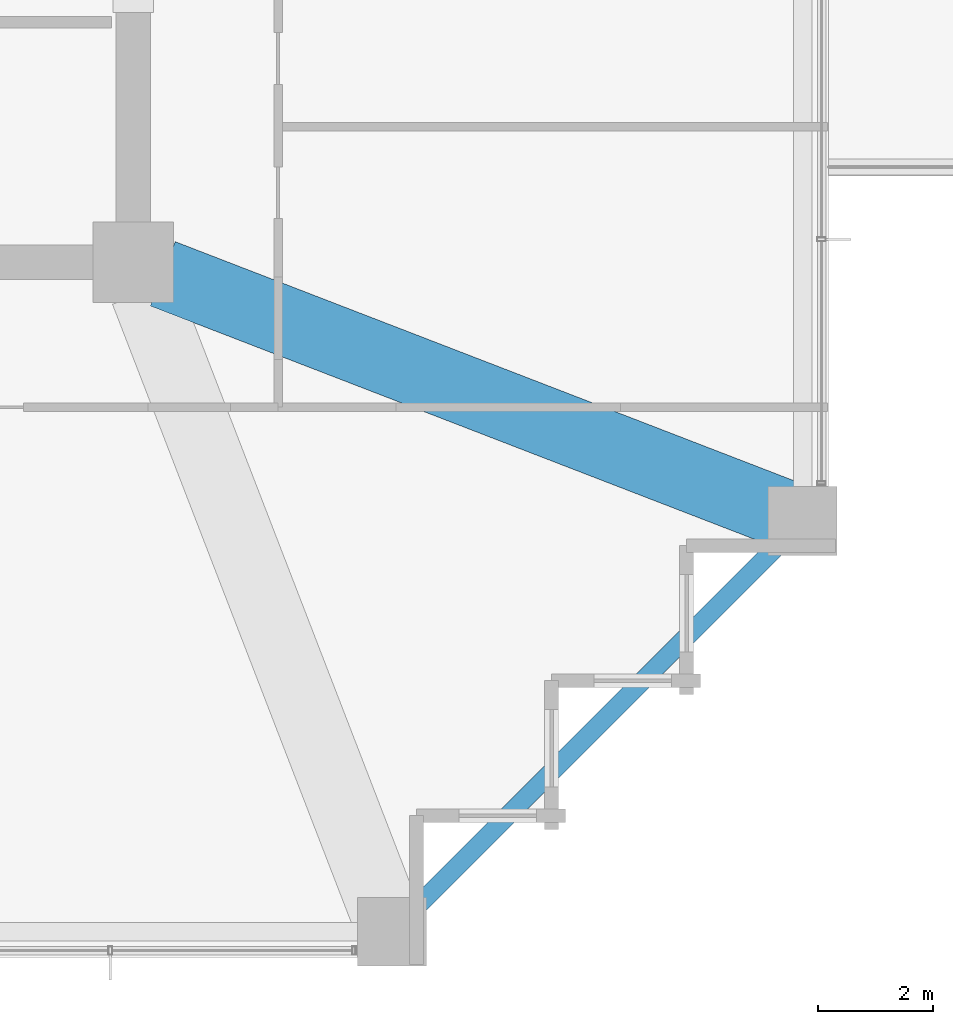
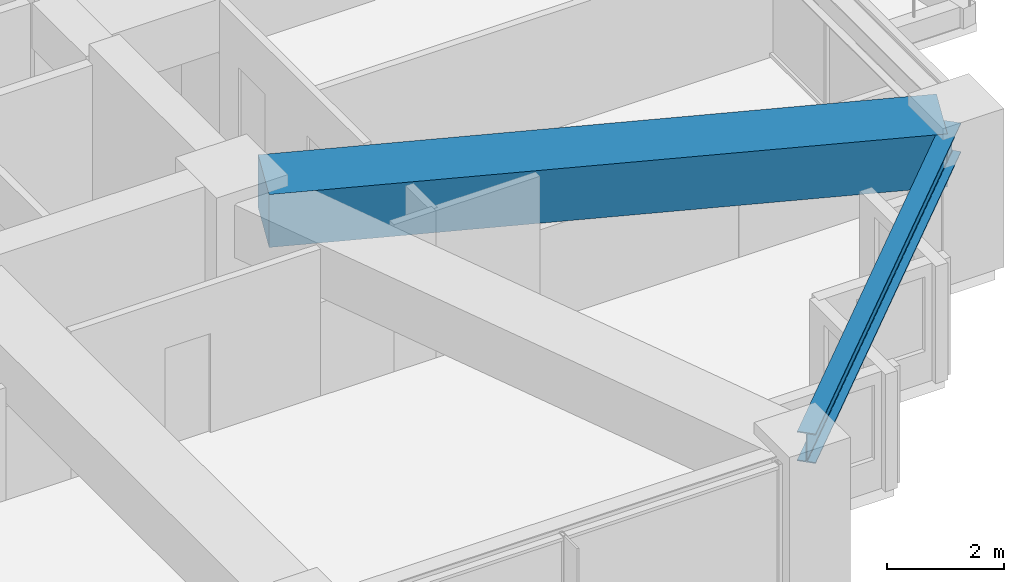
# One storey, part 12 of 39: 2 beams.
"""IFC4 building model written with IfcOpenShell, lengths in metres."""

from ifc_helpers import new_model, si_unit, direction, frame, origin, origin_2d, place, context, subcontext, project, spatial, rectangle, i_section, extrude, material, material_profile, profile_set, type_object, element, save


model = new_model("IFC4")

# Units and contexts
model_context = context("Model", 3, precision=1e-05, world=origin(), true_north=direction((0.0, 1.0)))
body_context = subcontext(model_context, "Body", "Model", "MODEL_VIEW")
ifc_project = project(units=[si_unit("LENGTHUNIT", "METRE"), si_unit("AREAUNIT", "SQUARE_METRE"), si_unit("VOLUMEUNIT", "CUBIC_METRE"), si_unit("PLANEANGLEUNIT", "RADIAN"), si_unit("MASSUNIT", "GRAM", prefix="KILO")], contexts=[model_context])

# Site, building, storey
site_placement = place(None, origin())
site = spatial("IfcSite", under=ifc_project, at=site_placement, CompositionType="ELEMENT")
building_placement = place(site_placement, origin())
building = spatial("IfcBuilding", under=site, at=building_placement, Name="Kolvaren Belvedere", CompositionType="ELEMENT")
storey_placement = place(building_placement, frame((0.0, 0.0, 33.699951171875)))
storey = spatial("IfcBuildingStorey", under=building, at=storey_placement, Name="L09", CompositionType="ELEMENT", Elevation=33.699951171875)

# Beams
ifc_material_1 = material(Name="Structural steel ASTM A992 Grade 50", Category="steel")
ifc_material_profile_1 = material_profile(ifc_material_1, i_section(OverallWidth=0.324951171875, OverallDepth=0.615966796875, WebThickness=0.013916015625, FlangeThickness=0.021484375, FilletRadius=0.02001953125, at=origin_2d()), Name="W24X117")
ifc_profile_set_1 = profile_set([ifc_material_profile_1], Name="Structural steel ASTM A992 Grade 50")
beam_type_1 = type_object("IfcBeamType", Name="BM-SPAN-W24X117", PredefinedType="SPANDREL", material=ifc_profile_set_1)
beam_1_placement = place(storey_placement, frame((14.5908203125, -21.359130859375, 2.751953125), z_axis=(0.707106781187, 0.707106781187, 0.0), x_axis=(-0.707106781187, 0.707106781187, 0.0)))
element("IfcBeam", 1, at=beam_1_placement, inside=storey, type_object=beam_type_1, Name="L09 Perimeter Spandrel S4-E1", PredefinedType="SPANDREL", context=body_context, shape_type="SweptSolid", body=[
    extrude(i_section(OverallWidth=0.324951171875, OverallDepth=0.615966796875, WebThickness=0.013916015625, FlangeThickness=0.021484375, FilletRadius=0.02001953125, at=origin_2d()), origin(), (0.0, 0.0, 1.0), 9.57177734375),
])
ifc_material_2 = material(Name="Concrete C50/60", Category="concrete")
ifc_material_profile_2 = material_profile(ifc_material_2, rectangle(XDim=1.199951171875, YDim=1.10009765625, at=origin_2d()), Name="RC 1200X1100")
ifc_profile_set_2 = profile_set([ifc_material_profile_2], Name="Concrete C50/60")
beam_type_2 = type_object("IfcBeamType", Name="BM-TG-1100", PredefinedType="BEAM", material=ifc_profile_set_2)
beam_2_placement = place(storey_placement, frame((10.4130859375, -10.09814453125, 2.510009765625), z_axis=(0.932829382313, -0.360318391835, 0.0), x_axis=(0.360318391835, 0.932829382313, 0.0)))
element("IfcBeam", 2, at=beam_2_placement, inside=storey, type_object=beam_type_2, Name="L09 Corner Core-to-Perimeter Girder CC2-E1", PredefinedType="BEAM", context=body_context, shape_type="SweptSolid", body=[
    extrude(rectangle(XDim=1.199951171875, YDim=1.10009765625, at=origin_2d()), origin(), (0.0, 0.0, 1.0), 11.698974609375),
])

save(model, "model.ifc")
